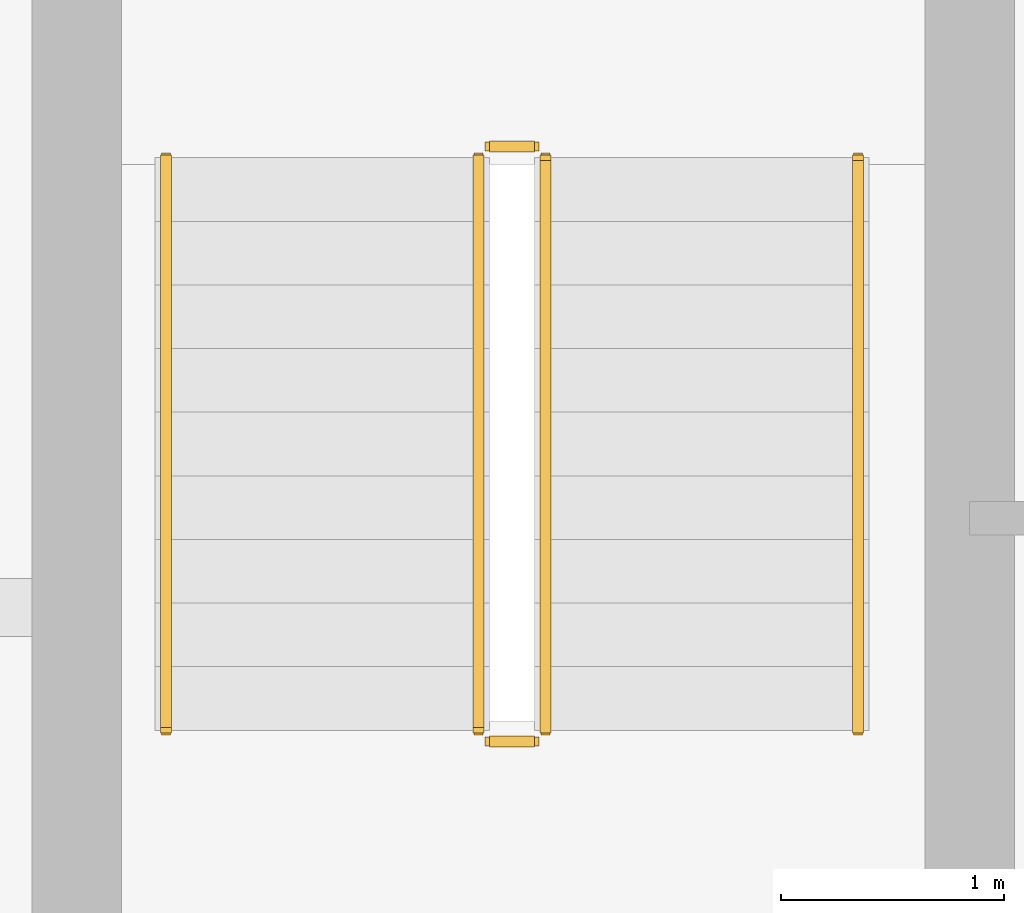
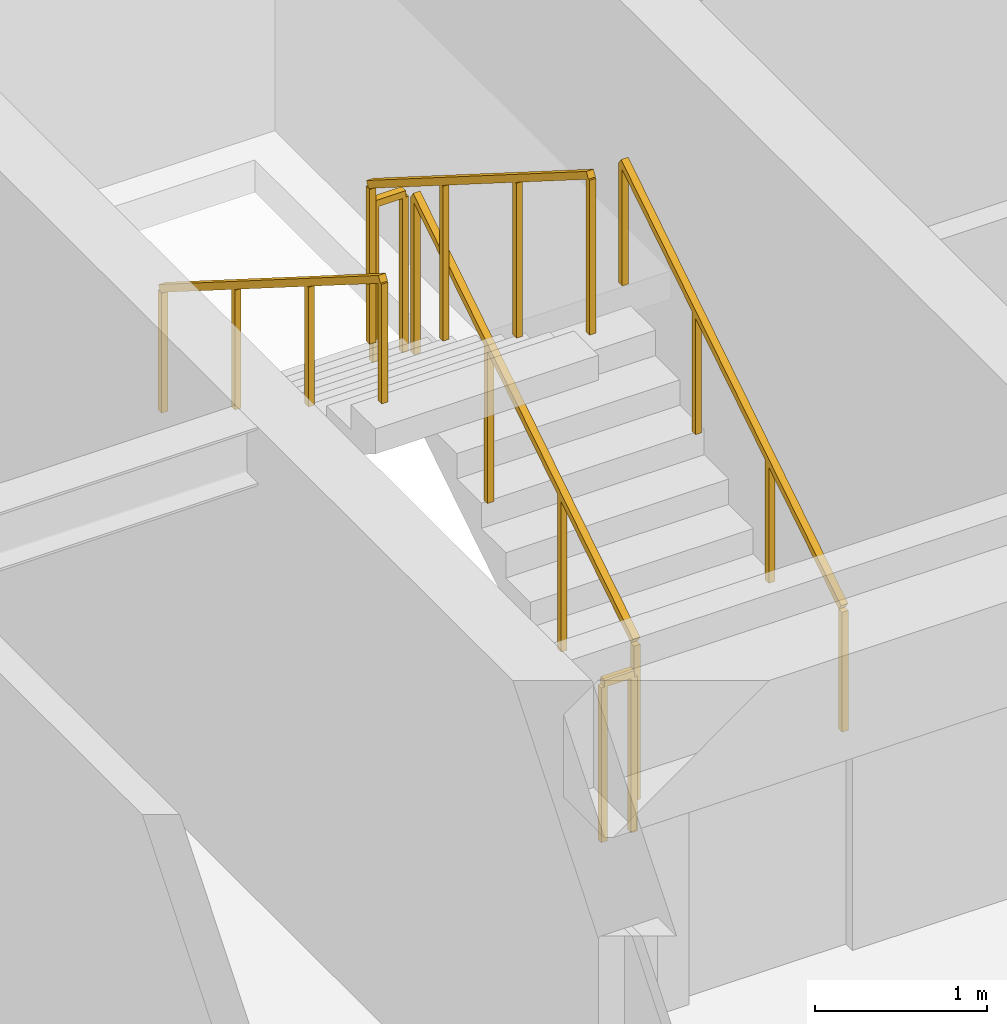
# One storey, part 21 of 23: 6 railings.
"""IFC4 building model written with IfcOpenShell, lengths in metres."""

from ifc_helpers import new_model, si_unit, direction, frame, origin, origin_2d, place, context, subcontext, project, spatial, rectangle, extrude, material, type_object, element, save


model = new_model("IFC4")

# Units and contexts
model_context = context("Model", 3, precision=1e-05, world=origin(), true_north=direction((0.0, 1.0)))
body_context = subcontext(model_context, "Body", "Model", "MODEL_VIEW")
ifc_project = project(units=[si_unit("LENGTHUNIT", "METRE"), si_unit("AREAUNIT", "SQUARE_METRE"), si_unit("VOLUMEUNIT", "CUBIC_METRE"), si_unit("PLANEANGLEUNIT", "RADIAN"), si_unit("MASSUNIT", "GRAM", prefix="KILO")], contexts=[model_context])

# Site, building, storey
site_placement = place(None, origin())
site = spatial("IfcSite", under=ifc_project, at=site_placement, CompositionType="ELEMENT")
building_placement = place(site_placement, origin())
building = spatial("IfcBuilding", under=site, at=building_placement, Name="Sarneth Arch Tower", CompositionType="ELEMENT")
storey_placement = place(building_placement, frame((0.0, 0.0, 262.199951171875)))
storey = spatial("IfcBuildingStorey", under=building, at=storey_placement, Name="L67", CompositionType="ELEMENT", Elevation=262.199951171875)

# Railings
ifc_material_1 = material(Name="Brushed Stainless Steel 304 tubular handrail", Category="steel")
railing_type_1 = type_object("IfcRailingType", Name="RAIL-HANDRAIL-900", PredefinedType="HANDRAIL", material=ifc_material_1)
railing_1_placement = place(storey_placement, frame((40.5, 41.449951171875, 0.179931640625)))
element("IfcRailing", 1, at=railing_1_placement, inside=storey, type_object=railing_type_1, Name="L67 ST-1 stair handrail 1", PredefinedType="HANDRAIL", context=body_context, shape_type="SweptSolid", body=[
    extrude(rectangle(XDim=0.048095703125, YDim=0.048095703125, at=origin_2d()), frame((0.0, 0.0, 0.8759765625), z_axis=(0.0, 0.845465955043, 0.534029323973), x_axis=(-1.0, 0.0, 0.0)), (0.0, 0.0, 1.0), 3.03369140625),
    extrude(rectangle(XDim=0.0419921875, YDim=0.0419921875, at=origin_2d()), origin(), (0.0, 0.0, 1.0), 0.851806640625),
    extrude(rectangle(XDim=0.0419921875, YDim=0.0419921875, at=origin_2d()), frame((0.0, 0.85498046875, 0.5400390625)), (0.0, 0.0, 1.0), 0.851806640625),
    extrude(rectangle(XDim=0.0419921875, YDim=0.0419921875, at=origin_2d()), frame((0.0, 1.7099609375, 1.080078125)), (0.0, 0.0, 1.0), 0.851806640625),
    extrude(rectangle(XDim=0.0419921875, YDim=0.0419921875, at=origin_2d()), frame((0.0, 2.56494140625, 1.6201171875)), (0.0, 0.0, 1.0), 0.851806640625),
])
railing_2_placement = place(storey_placement, frame((37.39990234375, 44.014892578125, 1.97998046875)))
element("IfcRailing", 2, at=railing_2_placement, inside=storey, type_object=railing_type_1, Name="L67 ST-1 stair handrail 2", PredefinedType="HANDRAIL", context=body_context, shape_type="SweptSolid", body=[
    extrude(rectangle(XDim=0.048095703125, YDim=0.048095703125, at=origin_2d()), frame((0.0, 0.0, 0.8759765625), z_axis=(0.0, -0.845465955043, 0.534029323973), x_axis=(1.0, 0.0, 0.0)), (0.0, 0.0, 1.0), 3.03369140625),
    extrude(rectangle(XDim=0.0419921875, YDim=0.0419921875, at=origin_2d()), origin(), (0.0, 0.0, 1.0), 0.851806640625),
    extrude(rectangle(XDim=0.0419921875, YDim=0.0419921875, at=origin_2d()), frame((0.0, -0.85498046875, 0.5400390625)), (0.0, 0.0, 1.0), 0.851806640625),
    extrude(rectangle(XDim=0.0419921875, YDim=0.0419921875, at=origin_2d()), frame((0.0, -1.7099609375, 1.080078125)), (0.0, 0.0, 1.0), 0.851806640625),
    extrude(rectangle(XDim=0.0419921875, YDim=0.0419921875, at=origin_2d()), frame((0.0, -2.56494140625, 1.6201171875)), (0.0, 0.0, 1.0), 0.851806640625),
])
ifc_material_2 = material(Name="Painted Steel S275 stair well guard", Category="steel")
railing_type_2 = type_object("IfcRailingType", Name="RAIL-STAIR-GUARD", PredefinedType="GUARDRAIL", material=ifc_material_2)
railing_3_placement = place(storey_placement, frame((39.10009765625, 41.449951171875, 0.179931640625)))
element("IfcRailing", 3, at=railing_3_placement, inside=storey, type_object=railing_type_2, Name="L67 ST-1 stair guard 1", PredefinedType="GUARDRAIL", context=body_context, shape_type="SweptSolid", body=[
    extrude(rectangle(XDim=0.048095703125, YDim=0.048095703125, at=origin_2d()), frame((0.0, 0.0, 1.1259765625), z_axis=(0.0, 0.845465955043, 0.534029323973), x_axis=(-1.0, 0.0, 0.0)), (0.0, 0.0, 1.0), 3.03369140625),
    extrude(rectangle(XDim=0.0419921875, YDim=0.0419921875, at=origin_2d()), origin(), (0.0, 0.0, 1.0), 1.101806640625),
    extrude(rectangle(XDim=0.0419921875, YDim=0.0419921875, at=origin_2d()), frame((0.0, 0.85498046875, 0.5400390625)), (0.0, 0.0, 1.0), 1.101806640625),
    extrude(rectangle(XDim=0.0419921875, YDim=0.0419921875, at=origin_2d()), frame((0.0, 1.7099609375, 1.080078125)), (0.0, 0.0, 1.0), 1.101806640625),
    extrude(rectangle(XDim=0.0419921875, YDim=0.0419921875, at=origin_2d()), frame((0.0, 2.56494140625, 1.6201171875)), (0.0, 0.0, 1.0), 1.101806640625),
])
railing_4_placement = place(storey_placement, frame((39.050048828125, 44.06494140625, 1.800048828125)))
element("IfcRailing", 4, at=railing_4_placement, inside=storey, type_object=railing_type_2, Name="L67 ST-1 stair guard 2", PredefinedType="GUARDRAIL", context=body_context, shape_type="SweptSolid", body=[
    extrude(rectangle(XDim=0.048095703125, YDim=0.048095703125, at=origin_2d()), frame((0.0, 0.0, 1.1259765625), z_axis=(-1.0, 0.0, 0.0), x_axis=(0.0, -1.0, 0.0)), (0.0, 0.0, 1.0), 0.199951171875),
    extrude(rectangle(XDim=0.0419921875, YDim=0.0419921875, at=origin_2d()), origin(), (0.0, 0.0, 1.0), 1.101806640625),
    extrude(rectangle(XDim=0.0419921875, YDim=0.0419921875, at=origin_2d()), frame((-0.199951171875, 0.0, 0.0)), (0.0, 0.0, 1.0), 1.101806640625),
])
railing_5_placement = place(storey_placement, frame((38.800048828125, 44.014892578125, 1.97998046875)))
element("IfcRailing", 5, at=railing_5_placement, inside=storey, type_object=railing_type_2, Name="L67 ST-1 stair guard 3", PredefinedType="GUARDRAIL", context=body_context, shape_type="SweptSolid", body=[
    extrude(rectangle(XDim=0.048095703125, YDim=0.048095703125, at=origin_2d()), frame((0.0, 0.0, 1.1259765625), z_axis=(0.0, -0.845465955043, 0.534029323973), x_axis=(1.0, 0.0, 0.0)), (0.0, 0.0, 1.0), 3.03369140625),
    extrude(rectangle(XDim=0.0419921875, YDim=0.0419921875, at=origin_2d()), origin(), (0.0, 0.0, 1.0), 1.101806640625),
    extrude(rectangle(XDim=0.0419921875, YDim=0.0419921875, at=origin_2d()), frame((0.0, -0.85498046875, 0.5400390625)), (0.0, 0.0, 1.0), 1.101806640625),
    extrude(rectangle(XDim=0.0419921875, YDim=0.0419921875, at=origin_2d()), frame((0.0, -1.7099609375, 1.080078125)), (0.0, 0.0, 1.0), 1.101806640625),
    extrude(rectangle(XDim=0.0419921875, YDim=0.0419921875, at=origin_2d()), frame((0.0, -2.56494140625, 1.6201171875)), (0.0, 0.0, 1.0), 1.101806640625),
])
railing_6_placement = place(storey_placement, frame((39.050048828125, 41.39990234375, 0.0)))
element("IfcRailing", 6, at=railing_6_placement, inside=storey, type_object=railing_type_2, Name="L67 ST-1 stair guard 4", PredefinedType="GUARDRAIL", context=body_context, shape_type="SweptSolid", body=[
    extrude(rectangle(XDim=0.048095703125, YDim=0.048095703125, at=origin_2d()), frame((0.0, 0.0, 1.1259765625), z_axis=(-1.0, 0.0, 0.0), x_axis=(0.0, -1.0, 0.0)), (0.0, 0.0, 1.0), 0.199951171875),
    extrude(rectangle(XDim=0.0419921875, YDim=0.0419921875, at=origin_2d()), origin(), (0.0, 0.0, 1.0), 1.101806640625),
    extrude(rectangle(XDim=0.0419921875, YDim=0.0419921875, at=origin_2d()), frame((-0.199951171875, 0.0, 0.0)), (0.0, 0.0, 1.0), 1.101806640625),
])

save(model, "model.ifc")
